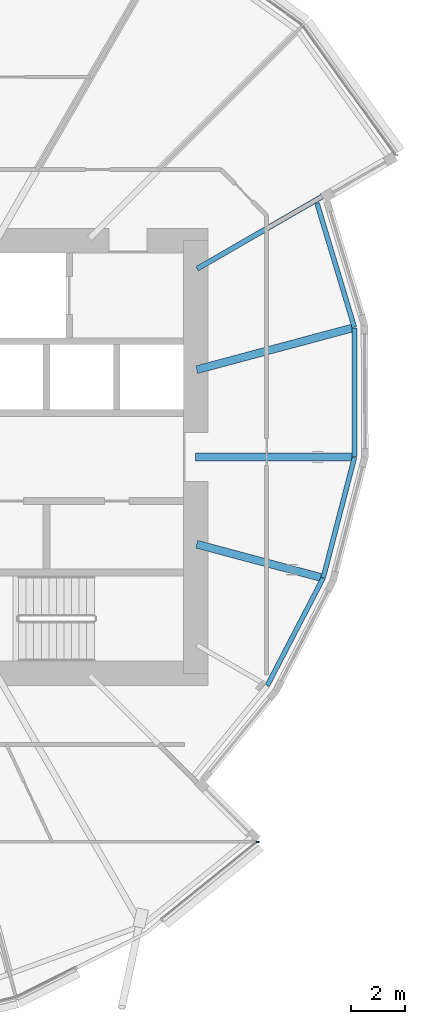
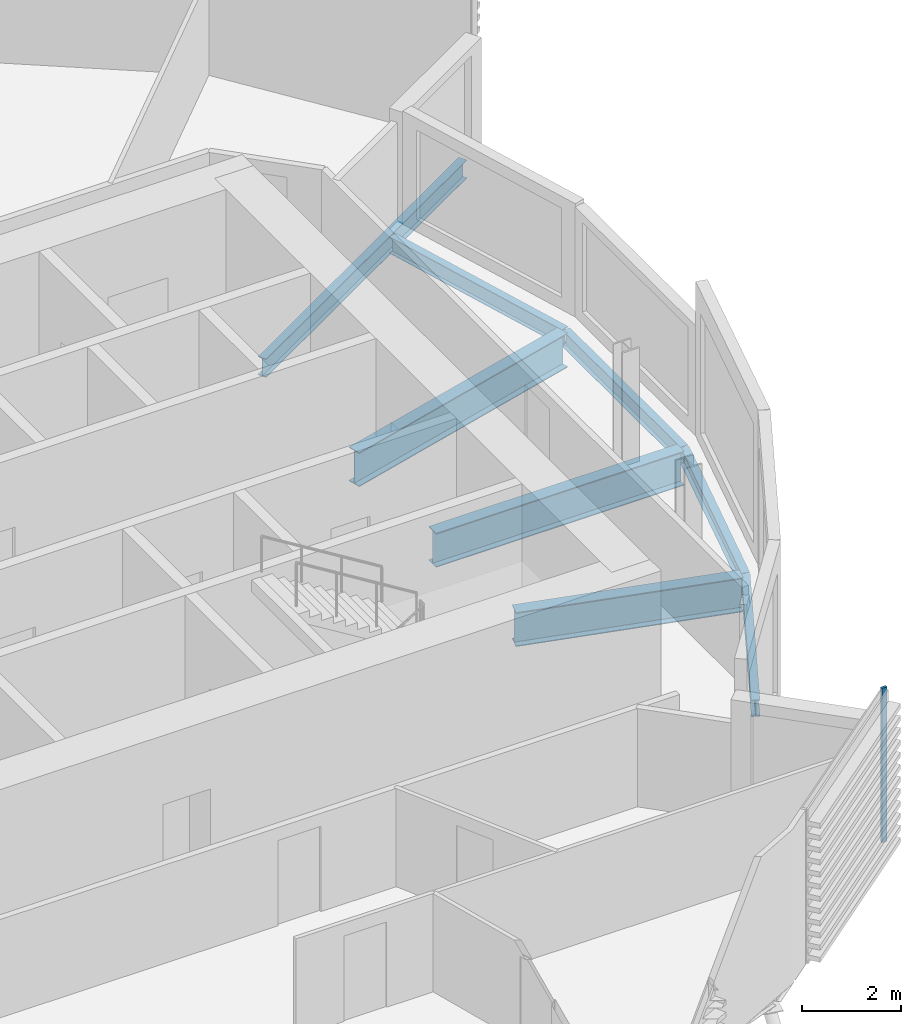
# One storey, part 16 of 38: 8 beams, 1 member, 1 element without a shape of its own.
"""IFC4 building model written with IfcOpenShell, lengths in metres."""

from ifc_helpers import new_model, si_unit, direction, frame, origin, origin_2d, place, context, subcontext, project, spatial, rectangle, i_section, extrude, material, material_profile, profile_set, type_object, element, aggregate, save


model = new_model("IFC4")

# Units and contexts
model_context = context("Model", 3, precision=1e-05, world=origin(), true_north=direction((0.0, 1.0)))
body_context = subcontext(model_context, "Body", "Model", "MODEL_VIEW")
ifc_project = project(units=[si_unit("LENGTHUNIT", "METRE"), si_unit("AREAUNIT", "SQUARE_METRE"), si_unit("VOLUMEUNIT", "CUBIC_METRE"), si_unit("PLANEANGLEUNIT", "RADIAN"), si_unit("MASSUNIT", "GRAM", prefix="KILO")], contexts=[model_context])

# Site, building, storey
site_placement = place(None, origin())
site = spatial("IfcSite", under=ifc_project, at=site_placement, CompositionType="ELEMENT")
building_placement = place(site_placement, origin())
building = spatial("IfcBuilding", under=site, at=building_placement, Name="Rimbun Link Towers", CompositionType="ELEMENT")
storey_placement = place(building_placement, frame((0.0, 0.0, 49.0)))
storey = spatial("IfcBuildingStorey", under=building, at=storey_placement, Name="L11", CompositionType="ELEMENT", Elevation=49.0)

# Curtain wall, member
ifc_material_1 = material(Name="Aluminium 6063-T6 and low-iron glass", Category="aluminium")
curtain_wall_type = type_object("IfcCurtainWallType", Name="CW1 unitised vision wall", PredefinedType="NOTDEFINED", material=ifc_material_1)
curtain_wall_placement = place(storey_placement, origin())
curtain_wall = element("IfcCurtainWall", 1, at=curtain_wall_placement, inside=storey, type_object=curtain_wall_type, Name="CW1 L11 T2", PredefinedType="NOTDEFINED")
ifc_material_2 = material(Name="Aluminium 6063-T6", Category="aluminium")
ifc_material_profile_1 = material_profile(ifc_material_2, rectangle(XDim=0.1201171875, YDim=0.06005859375, at=origin_2d()), Name="MULLION 60X120")
ifc_profile_set_1 = profile_set([ifc_material_profile_1], Name="Aluminium 6063-T6")
member_type = type_object("IfcMemberType", Name="CW1 mullion 60X120", PredefinedType="MULLION", material=ifc_profile_set_1)
member_placement = place(storey_placement, frame((46.04150390625, -14.23486328125, 0.0), z_axis=(0.0, 0.0, 1.0), x_axis=(0.998623946745, -0.05244247312, 0.0)))
member = element("IfcMember", 2, at=member_placement, type_object=member_type, Name="CW1 mullion", PredefinedType="MULLION", context=body_context, shape_type="SweptSolid", body=[
    extrude(rectangle(XDim=0.1201171875, YDim=0.06005859375, at=origin_2d()), origin(), (0.0, 0.0, 1.0), 3.800048828125),
])
aggregate(curtain_wall, [member])

# Beams
ifc_material_3 = material(Name="Steel S355J2", Category="steel")
ifc_material_profile_2 = material_profile(ifc_material_3, i_section(OverallWidth=0.177978515625, OverallDepth=0.406494140625, WebThickness=0.0078125, FlangeThickness=0.0126953125, at=origin_2d()), Name="UB 406x178x60")
ifc_profile_set_2 = profile_set([ifc_material_profile_2], Name="Steel S355J2")
beam_type_1 = type_object("IfcBeamType", Name="UB 406x178x60", PredefinedType="BEAM", material=ifc_profile_set_2)
beam_1_placement = place(storey_placement, frame((46.400390625, -8.44677734375, -0.36328125), z_axis=(0.460908110593, 0.88744786528, 0.0), x_axis=(-0.88744786528, 0.460908110593, 0.0)))
element("IfcBeam", 3, at=beam_1_placement, inside=storey, type_object=beam_type_1, Name="Edge beam T2 L11 19 recess", PredefinedType="BEAM", context=body_context, shape_type="SweptSolid", body=[
    extrude(i_section(OverallWidth=0.177978515625, OverallDepth=0.406494140625, WebThickness=0.0078125, FlangeThickness=0.0126953125, at=origin_2d()), origin(), (0.0, 0.0, 1.0), 4.461181640625),
])
beam_2_placement = place(storey_placement, frame((48.46435546875, -4.467041015625, -0.36328125), z_axis=(0.251212503294, 0.967931959483, 0.0), x_axis=(-0.967931959483, 0.251212503294, 0.0)))
element("IfcBeam", 4, at=beam_2_placement, inside=storey, type_object=beam_type_1, Name="Edge beam T2 L11 20 recess", PredefinedType="BEAM", context=body_context, shape_type="SweptSolid", body=[
    extrude(i_section(OverallWidth=0.177978515625, OverallDepth=0.406494140625, WebThickness=0.0078125, FlangeThickness=0.0126953125, at=origin_2d()), origin(), (0.0, 0.0, 1.0), 4.602783203125),
])
beam_3_placement = place(storey_placement, frame((49.623779296875, 0.012451171875, -0.36328125), z_axis=(-0.001128088709, 0.999999363708, 0.0), x_axis=(-0.999999363708, -0.001128088709, 0.0)))
element("IfcBeam", 5, at=beam_3_placement, inside=storey, type_object=beam_type_1, Name="Edge beam T2 L11 21 recess", PredefinedType="BEAM", context=body_context, shape_type="SweptSolid", body=[
    extrude(i_section(OverallWidth=0.177978515625, OverallDepth=0.406494140625, WebThickness=0.0078125, FlangeThickness=0.0126953125, at=origin_2d()), origin(), (0.0, 0.0, 1.0), 4.76123046875),
])
beam_4_placement = place(storey_placement, frame((49.614501953125, 4.80126953125, -0.36328125), z_axis=(-0.288311964284, 0.957536532593, 0.0), x_axis=(-0.957536532593, -0.288311964284, 0.0)))
element("IfcBeam", 6, at=beam_4_placement, inside=storey, type_object=beam_type_1, Name="Edge beam T2 L11 22 recess", PredefinedType="BEAM", context=body_context, shape_type="SweptSolid", body=[
    extrude(i_section(OverallWidth=0.177978515625, OverallDepth=0.406494140625, WebThickness=0.0078125, FlangeThickness=0.0126953125, at=origin_2d()), origin(), (0.0, 0.0, 1.0), 4.78515625),
])
ifc_material_4 = material(Name="Steel S355J2", Category="steel")
ifc_material_profile_3 = material_profile(ifc_material_4, i_section(OverallWidth=0.18994140625, OverallDepth=0.453369140625, WebThickness=0.008544921875, FlangeThickness=0.0126953125, at=origin_2d()), Name="UB 457x191x67")
ifc_profile_set_3 = profile_set([ifc_material_profile_3], Name="Steel S355J2")
beam_type_2 = type_object("IfcBeamType", Name="UB 457x191x67", PredefinedType="BEAM", material=ifc_profile_set_3)
beam_5_placement = place(storey_placement, frame((43.79833984375, 6.9560546875, -0.38671875), z_axis=(0.866021827868, 0.500006193617, 0.0), x_axis=(-0.500006193617, 0.866021827868, 0.0)))
element("IfcBeam", 7, at=beam_5_placement, inside=storey, type_object=beam_type_2, Name="Radial beam T2 L11 23", PredefinedType="BEAM", context=body_context, shape_type="SweptSolid", body=[
    extrude(i_section(OverallWidth=0.18994140625, OverallDepth=0.453369140625, WebThickness=0.008544921875, FlangeThickness=0.0126953125, at=origin_2d()), origin(), (0.0, 0.0, 1.0), 8.09375),
])
ifc_material_5 = material(Name="Steel S355J2", Category="steel")
ifc_material_profile_4 = material_profile(ifc_material_5, i_section(OverallWidth=0.29248046875, OverallDepth=0.8408203125, WebThickness=0.0126953125, FlangeThickness=0.021728515625, at=origin_2d()), Name="UB 838x292x194")
ifc_profile_set_4 = profile_set([ifc_material_profile_4], Name="Steel S355J2")
beam_type_3 = type_object("IfcBeamType", Name="UB 838x292x194", PredefinedType="BEAM", material=ifc_profile_set_4)
beam_6_placement = place(storey_placement, frame((43.788818359375, -3.225830078125, -0.580322265625), z_axis=(0.965933819548, -0.25878921201, 0.0), x_axis=(0.25878921201, 0.965933819548, 0.0)))
element("IfcBeam", 8, at=beam_6_placement, inside=storey, type_object=beam_type_3, Name="Radial beam T2 L11 20", PredefinedType="BEAM", context=body_context, shape_type="SweptSolid", body=[
    extrude(i_section(OverallWidth=0.29248046875, OverallDepth=0.8408203125, WebThickness=0.0126953125, FlangeThickness=0.021728515625, at=origin_2d()), origin(), (0.0, 0.0, 1.0), 4.7470703125),
])
beam_7_placement = place(storey_placement, frame((43.7509765625, 0.0, -0.580322265625), z_axis=(1.0, 0.0, 0.0), x_axis=(0.0, 1.0, 0.0)))
element("IfcBeam", 9, at=beam_7_placement, inside=storey, type_object=beam_type_3, Name="Radial beam T2 L11 21", PredefinedType="BEAM", context=body_context, shape_type="SweptSolid", body=[
    extrude(i_section(OverallWidth=0.29248046875, OverallDepth=0.8408203125, WebThickness=0.0126953125, FlangeThickness=0.021728515625, at=origin_2d()), origin(), (0.0, 0.0, 1.0), 5.7822265625),
])
beam_8_placement = place(storey_placement, frame((43.788818359375, 3.225830078125, -0.580322265625), z_axis=(0.965927520399, 0.258812722515, 0.0), x_axis=(-0.258812722515, 0.965927520399, 0.0)))
element("IfcBeam", 10, at=beam_8_placement, inside=storey, type_object=beam_type_3, Name="Radial beam T2 L11 22", PredefinedType="BEAM", context=body_context, shape_type="SweptSolid", body=[
    extrude(i_section(OverallWidth=0.29248046875, OverallDepth=0.8408203125, WebThickness=0.0126953125, FlangeThickness=0.021728515625, at=origin_2d()), origin(), (0.0, 0.0, 1.0), 5.94482421875),
])

save(model, "model.ifc")
